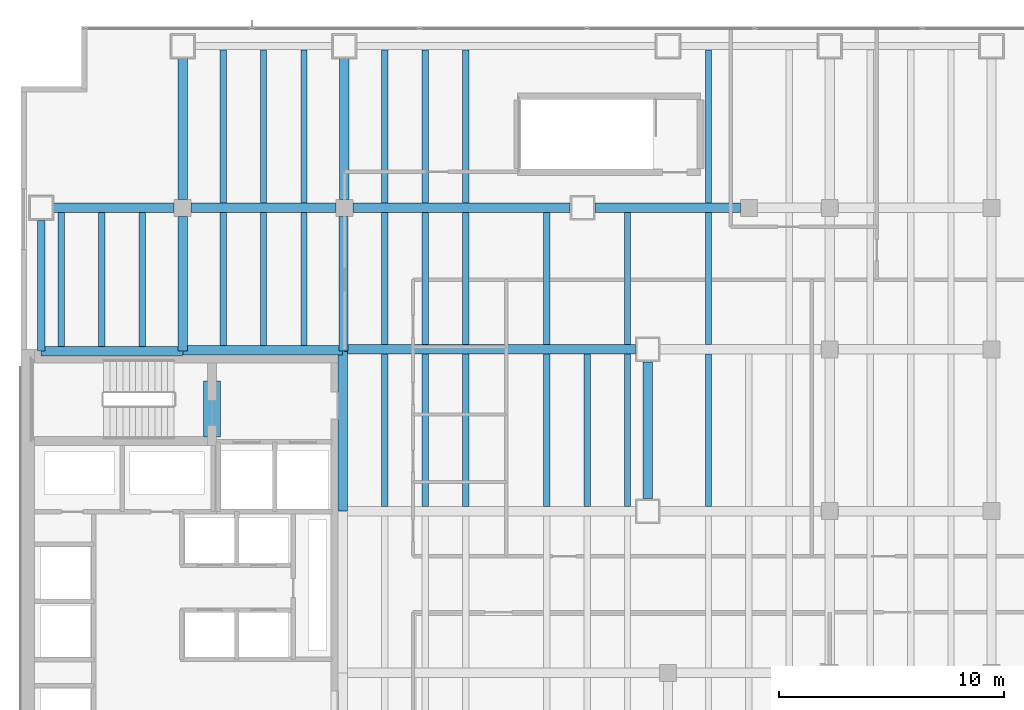
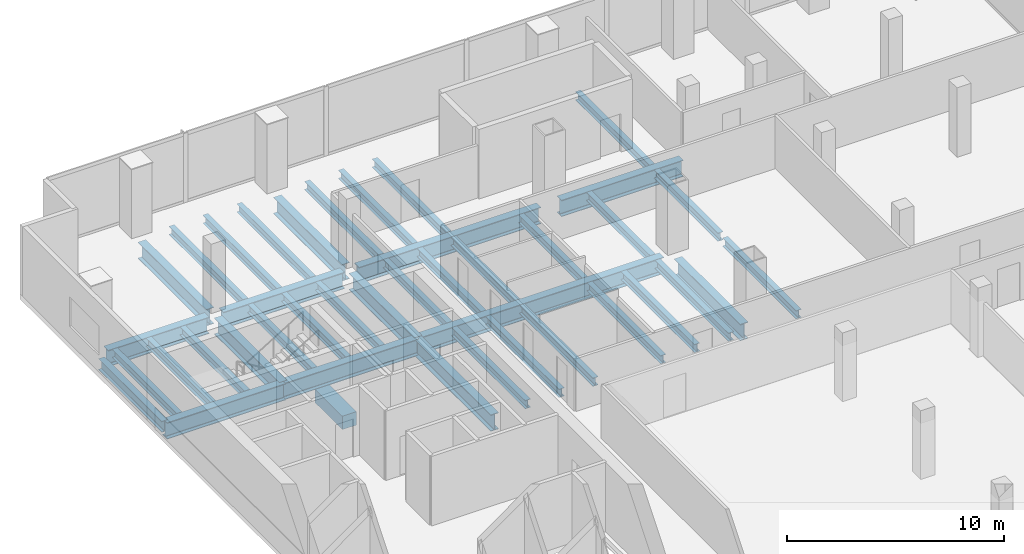
# One storey, part 10 of 32: 41 beams.
"""IFC4 building model written with IfcOpenShell, lengths in metres."""

from ifc_helpers import new_model, si_unit, direction, frame, origin, origin_2d, place, context, subcontext, project, spatial, rectangle, i_section, extrude, material, material_profile, profile_set, type_object, element, save


model = new_model("IFC4")

# Units and contexts
model_context = context("Model", 3, precision=1e-05, world=origin(), true_north=direction((0.0, 1.0)))
body_context = subcontext(model_context, "Body", "Model", "MODEL_VIEW")
ifc_project = project(units=[si_unit("LENGTHUNIT", "METRE"), si_unit("AREAUNIT", "SQUARE_METRE"), si_unit("VOLUMEUNIT", "CUBIC_METRE"), si_unit("PLANEANGLEUNIT", "RADIAN"), si_unit("MASSUNIT", "GRAM", prefix="KILO")], contexts=[model_context])

# Site, building, storey
site_placement = place(None, origin())
site = spatial("IfcSite", under=ifc_project, at=site_placement, CompositionType="ELEMENT")
building_placement = place(site_placement, origin())
building = spatial("IfcBuilding", under=site, at=building_placement, Name="Cobrela Telecom Tower", CompositionType="ELEMENT")
storey_placement = place(building_placement, frame((0.0, 0.0, 22.050048828125)))
storey = spatial("IfcBuildingStorey", under=building, at=storey_placement, Name="L05", CompositionType="ELEMENT", Elevation=22.050048828125)

# Beams
ifc_material_1 = material(Name="Concrete C40/50", Category="concrete")
ifc_material_profile_1 = material_profile(ifc_material_1, rectangle(XDim=0.75, YDim=0.75, at=origin_2d()), Name="RC 750x750")
ifc_profile_set_1 = profile_set([ifc_material_profile_1], Name="Concrete C40/50")
beam_type_1 = type_object("IfcBeamType", Name="BM-COUP-RC", PredefinedType="LINTEL", material=ifc_profile_set_1)
beam_1_placement = place(storey_placement, frame((8.5, 32.10009765625, -0.64013671875), z_axis=(0.0, 1.0, 0.0), x_axis=(-1.0, 0.0, 0.0)))
element("IfcBeam", 1, at=beam_1_placement, inside=storey, type_object=beam_type_1, Name="L05 Core Coupling Lintel Beam", PredefinedType="LINTEL", context=body_context, shape_type="SweptSolid", body=[
    extrude(rectangle(XDim=0.75, YDim=0.75, at=origin_2d()), origin(), (0.0, 0.0, 1.0), 2.5),
])
ifc_material_2 = material(Name="Steel ASTM A992 Grade 50", Category="steel")
ifc_material_profile_2 = material_profile(ifc_material_2, i_section(OverallWidth=0.4189453125, OverallDepth=0.927001953125, WebThickness=0.019287109375, FlangeThickness=0.031982421875, FilletRadius=0.02392578125, at=origin_2d()), Name="W36X231")
ifc_profile_set_2 = profile_set([ifc_material_profile_2], Name="Steel ASTM A992 Grade 50")
beam_type_2 = type_object("IfcBeamType", Name="BM-GIRD-02", PredefinedType="USERDEFINED", material=ifc_profile_set_2)
beam_2_placement = place(storey_placement, frame((0.905029296875, 35.919921875, -0.753662109375), z_axis=(1.0, 0.0, 0.0), x_axis=(0.0, 1.0, 0.0)))
element("IfcBeam", 2, at=beam_2_placement, inside=storey, type_object=beam_type_2, Name="L05 Primary Girder X41", ObjectType="GIRDER", PredefinedType="USERDEFINED", context=body_context, shape_type="SweptSolid", body=[
    extrude(i_section(OverallWidth=0.4189453125, OverallDepth=0.927001953125, WebThickness=0.019287109375, FlangeThickness=0.031982421875, FilletRadius=0.02392578125, at=origin_2d()), origin(), (0.0, 0.0, 1.0), 6.2900390625),
])
beam_3_placement = place(storey_placement, frame((7.205078125, 35.9599609375, -0.753662109375), z_axis=(1.0, 0.0, 0.0), x_axis=(0.0, 1.0, 0.0)))
element("IfcBeam", 3, at=beam_3_placement, inside=storey, type_object=beam_type_2, Name="L05 Primary Girder X42", ObjectType="GIRDER", PredefinedType="USERDEFINED", context=body_context, shape_type="SweptSolid", body=[
    extrude(i_section(OverallWidth=0.4189453125, OverallDepth=0.927001953125, WebThickness=0.019287109375, FlangeThickness=0.031982421875, FilletRadius=0.02392578125, at=origin_2d()), origin(), (0.0, 0.0, 1.0), 7.10986328125),
])
beam_4_placement = place(storey_placement, frame((14.324951171875, 36.0, -0.753662109375), z_axis=(1.0, 0.0, 0.0), x_axis=(0.0, 1.0, 0.0)))
element("IfcBeam", 4, at=beam_4_placement, inside=storey, type_object=beam_type_2, Name="L05 Primary Girder X43", ObjectType="GIRDER", PredefinedType="USERDEFINED", context=body_context, shape_type="SweptSolid", body=[
    extrude(i_section(OverallWidth=0.4189453125, OverallDepth=0.927001953125, WebThickness=0.019287109375, FlangeThickness=0.031982421875, FilletRadius=0.02392578125, at=origin_2d()), origin(), (0.0, 0.0, 1.0), 13.02001953125),
])
beam_5_placement = place(storey_placement, frame((1.455078125, 42.300048828125, -0.753662109375), z_axis=(1.0, 0.0, 0.0), x_axis=(0.0, 1.0, 0.0)))
element("IfcBeam", 5, at=beam_5_placement, inside=storey, type_object=beam_type_2, Name="L05 Primary Girder X46", ObjectType="GIRDER", PredefinedType="USERDEFINED", context=body_context, shape_type="SweptSolid", body=[
    extrude(i_section(OverallWidth=0.4189453125, OverallDepth=0.927001953125, WebThickness=0.019287109375, FlangeThickness=0.031982421875, FilletRadius=0.02392578125, at=origin_2d()), origin(), (0.0, 0.0, 1.0), 5.364990234375),
])
beam_6_placement = place(storey_placement, frame((7.580078125, 42.300048828125, -0.753662109375), z_axis=(1.0, 0.0, 0.0), x_axis=(0.0, 1.0, 0.0)))
element("IfcBeam", 6, at=beam_6_placement, inside=storey, type_object=beam_type_2, Name="L05 Primary Girder X47", ObjectType="GIRDER", PredefinedType="USERDEFINED", context=body_context, shape_type="SweptSolid", body=[
    extrude(i_section(OverallWidth=0.4189453125, OverallDepth=0.927001953125, WebThickness=0.019287109375, FlangeThickness=0.031982421875, FilletRadius=0.02392578125, at=origin_2d()), origin(), (0.0, 0.0, 1.0), 6.43994140625),
])
beam_7_placement = place(storey_placement, frame((14.780029296875, 42.300048828125, -0.753662109375), z_axis=(1.0, 0.0, 0.0), x_axis=(0.0, 1.0, 0.0)))
element("IfcBeam", 7, at=beam_7_placement, inside=storey, type_object=beam_type_2, Name="L05 Primary Girder X48", ObjectType="GIRDER", PredefinedType="USERDEFINED", context=body_context, shape_type="SweptSolid", body=[
    extrude(i_section(OverallWidth=0.4189453125, OverallDepth=0.927001953125, WebThickness=0.019287109375, FlangeThickness=0.031982421875, FilletRadius=0.02392578125, at=origin_2d()), origin(), (0.0, 0.0, 1.0), 9.6650390625),
])
beam_8_placement = place(storey_placement, frame((25.554931640625, 42.300048828125, -0.753662109375), z_axis=(1.0, 0.0, 0.0), x_axis=(0.0, 1.0, 0.0)))
element("IfcBeam", 8, at=beam_8_placement, inside=storey, type_object=beam_type_2, Name="L05 Primary Girder X49", ObjectType="GIRDER", PredefinedType="USERDEFINED", context=body_context, shape_type="SweptSolid", body=[
    extrude(i_section(OverallWidth=0.4189453125, OverallDepth=0.927001953125, WebThickness=0.019287109375, FlangeThickness=0.031982421875, FilletRadius=0.02392578125, at=origin_2d()), origin(), (0.0, 0.0, 1.0), 6.465087890625),
])
beam_9_placement = place(storey_placement, frame((7.199951171875, 35.925048828125, -0.753662109375), z_axis=(0.0, 1.0, 0.0), x_axis=(-1.0, 0.0, 0.0)))
element("IfcBeam", 9, at=beam_9_placement, inside=storey, type_object=beam_type_2, Name="L05 Primary Girder Y58", ObjectType="GIRDER", PredefinedType="USERDEFINED", context=body_context, shape_type="SweptSolid", body=[
    extrude(i_section(OverallWidth=0.4189453125, OverallDepth=0.927001953125, WebThickness=0.019287109375, FlangeThickness=0.031982421875, FilletRadius=0.02392578125, at=origin_2d()), origin(), (0.0, 0.0, 1.0), 5.994873046875),
])
beam_10_placement = place(storey_placement, frame((7.199951171875, 42.679931640625, -0.753662109375), z_axis=(0.0, 1.0, 0.0), x_axis=(-1.0, 0.0, 0.0)))
element("IfcBeam", 10, at=beam_10_placement, inside=storey, type_object=beam_type_2, Name="L05 Primary Girder Y59", ObjectType="GIRDER", PredefinedType="USERDEFINED", context=body_context, shape_type="SweptSolid", body=[
    extrude(i_section(OverallWidth=0.4189453125, OverallDepth=0.927001953125, WebThickness=0.019287109375, FlangeThickness=0.031982421875, FilletRadius=0.02392578125, at=origin_2d()), origin(), (0.0, 0.0, 1.0), 6.26513671875),
])
beam_11_placement = place(storey_placement, frame((14.320068359375, 28.804931640625, -0.753662109375), z_axis=(0.0, 1.0, 0.0), x_axis=(-1.0, 0.0, 0.0)))
element("IfcBeam", 11, at=beam_11_placement, inside=storey, type_object=beam_type_2, Name="L05 Primary Girder Y64", ObjectType="GIRDER", PredefinedType="USERDEFINED", context=body_context, shape_type="SweptSolid", body=[
    extrude(i_section(OverallWidth=0.4189453125, OverallDepth=0.927001953125, WebThickness=0.019287109375, FlangeThickness=0.031982421875, FilletRadius=0.02392578125, at=origin_2d()), origin(), (0.0, 0.0, 1.0), 7.110107421875),
])
beam_12_placement = place(storey_placement, frame((14.360107421875, 35.925048828125, -0.753662109375), z_axis=(0.0, 1.0, 0.0), x_axis=(-1.0, 0.0, 0.0)))
element("IfcBeam", 12, at=beam_12_placement, inside=storey, type_object=beam_type_2, Name="L05 Primary Girder Y65", ObjectType="GIRDER", PredefinedType="USERDEFINED", context=body_context, shape_type="SweptSolid", body=[
    extrude(i_section(OverallWidth=0.4189453125, OverallDepth=0.927001953125, WebThickness=0.019287109375, FlangeThickness=0.031982421875, FilletRadius=0.02392578125, at=origin_2d()), origin(), (0.0, 0.0, 1.0), 5.994873046875),
])
beam_13_placement = place(storey_placement, frame((14.39990234375, 42.679931640625, -0.753662109375), z_axis=(0.0, 1.0, 0.0), x_axis=(-1.0, 0.0, 0.0)))
element("IfcBeam", 13, at=beam_13_placement, inside=storey, type_object=beam_type_2, Name="L05 Primary Girder Y66", ObjectType="GIRDER", PredefinedType="USERDEFINED", context=body_context, shape_type="SweptSolid", body=[
    extrude(i_section(OverallWidth=0.4189453125, OverallDepth=0.927001953125, WebThickness=0.019287109375, FlangeThickness=0.031982421875, FilletRadius=0.02392578125, at=origin_2d()), origin(), (0.0, 0.0, 1.0), 6.26513671875),
])
beam_14_placement = place(storey_placement, frame((27.89990234375, 29.35498046875, -0.753662109375), z_axis=(0.0, 1.0, 0.0), x_axis=(-1.0, 0.0, 0.0)))
element("IfcBeam", 14, at=beam_14_placement, inside=storey, type_object=beam_type_2, Name="L05 Primary Girder Y67", ObjectType="GIRDER", PredefinedType="USERDEFINED", context=body_context, shape_type="SweptSolid", body=[
    extrude(i_section(OverallWidth=0.4189453125, OverallDepth=0.927001953125, WebThickness=0.019287109375, FlangeThickness=0.031982421875, FilletRadius=0.02392578125, at=origin_2d()), origin(), (0.0, 0.0, 1.0), 6.090087890625),
])
ifc_material_profile_3 = material_profile(ifc_material_2, i_section(OverallWidth=0.281982421875, OverallDepth=0.467041015625, WebThickness=0.01220703125, FlangeThickness=0.01953125, FilletRadius=0.012939453125, at=origin_2d()), Name="W18X86")
ifc_profile_set_3 = profile_set([ifc_material_profile_3], Name="Steel ASTM A992 Grade 50")
beam_type_3 = type_object("IfcBeamType", Name="BM-JOIST-02", PredefinedType="JOIST", material=ifc_profile_set_3)
for number, where, z_axis, x_axis, name in (
    (15, (1.800048828125, 36.134521484375, -0.5234375), (0.0, 1.0, 0.0), (-1.0, 0.0, 0.0), "L05 Secondary Composite Floor Beam J01"),
    (16, (3.60009765625, 36.134521484375, -0.5234375), (0.0, 1.0, 0.0), (-1.0, 0.0, 0.0), "L05 Secondary Composite Floor Beam J02"),
    (17, (5.39990234375, 36.134521484375, -0.5234375), (0.0, 1.0, 0.0), (-1.0, 0.0, 0.0), "L05 Secondary Composite Floor Beam J03"),
):
    element("IfcBeam", number, at=place(storey_placement, frame(where, z_axis=z_axis, x_axis=x_axis)), inside=storey, type_object=beam_type_3, Name=name, PredefinedType="JOIST", context=body_context, shape_type="SweptSolid", body=[
        extrude(i_section(OverallWidth=0.281982421875, OverallDepth=0.467041015625, WebThickness=0.01220703125, FlangeThickness=0.01953125, FilletRadius=0.012939453125, at=origin_2d()), origin(), (0.0, 0.0, 1.0), 5.950927734375),
    ])
beam_15_placement = place(storey_placement, frame((9.0, 36.174560546875, -0.5234375), z_axis=(0.0, 1.0, 0.0), x_axis=(-1.0, 0.0, 0.0)))
element("IfcBeam", 18, at=beam_15_placement, inside=storey, type_object=beam_type_3, Name="L05 Secondary Composite Floor Beam J05", PredefinedType="JOIST", context=body_context, shape_type="SweptSolid", body=[
    extrude(i_section(OverallWidth=0.281982421875, OverallDepth=0.467041015625, WebThickness=0.01220703125, FlangeThickness=0.01953125, FilletRadius=0.012939453125, at=origin_2d()), origin(), (0.0, 0.0, 1.0), 5.910888671875),
])
beam_16_placement = place(storey_placement, frame((9.0, 42.514404296875, -0.5234375), z_axis=(0.0, 1.0, 0.0), x_axis=(-1.0, 0.0, 0.0)))
element("IfcBeam", 19, at=beam_16_placement, inside=storey, type_object=beam_type_3, Name="L05 Secondary Composite Floor Beam J06", PredefinedType="JOIST", context=body_context, shape_type="SweptSolid", body=[
    extrude(i_section(OverallWidth=0.281982421875, OverallDepth=0.467041015625, WebThickness=0.01220703125, FlangeThickness=0.01953125, FilletRadius=0.012939453125, at=origin_2d()), origin(), (0.0, 0.0, 1.0), 6.818115234375),
])
beam_17_placement = place(storey_placement, frame((10.800048828125, 36.174560546875, -0.5234375), z_axis=(0.0, 1.0, 0.0), x_axis=(-1.0, 0.0, 0.0)))
element("IfcBeam", 20, at=beam_17_placement, inside=storey, type_object=beam_type_3, Name="L05 Secondary Composite Floor Beam J08", PredefinedType="JOIST", context=body_context, shape_type="SweptSolid", body=[
    extrude(i_section(OverallWidth=0.281982421875, OverallDepth=0.467041015625, WebThickness=0.01220703125, FlangeThickness=0.01953125, FilletRadius=0.012939453125, at=origin_2d()), origin(), (0.0, 0.0, 1.0), 5.910888671875),
])
beam_18_placement = place(storey_placement, frame((10.800048828125, 42.514404296875, -0.5234375), z_axis=(0.0, 1.0, 0.0), x_axis=(-1.0, 0.0, 0.0)))
element("IfcBeam", 21, at=beam_18_placement, inside=storey, type_object=beam_type_3, Name="L05 Secondary Composite Floor Beam J09", PredefinedType="JOIST", context=body_context, shape_type="SweptSolid", body=[
    extrude(i_section(OverallWidth=0.281982421875, OverallDepth=0.467041015625, WebThickness=0.01220703125, FlangeThickness=0.01953125, FilletRadius=0.012939453125, at=origin_2d()), origin(), (0.0, 0.0, 1.0), 6.818115234375),
])
beam_19_placement = place(storey_placement, frame((12.60009765625, 36.174560546875, -0.5234375), z_axis=(0.0, 1.0, 0.0), x_axis=(-1.0, 0.0, 0.0)))
element("IfcBeam", 22, at=beam_19_placement, inside=storey, type_object=beam_type_3, Name="L05 Secondary Composite Floor Beam J11", PredefinedType="JOIST", context=body_context, shape_type="SweptSolid", body=[
    extrude(i_section(OverallWidth=0.281982421875, OverallDepth=0.467041015625, WebThickness=0.01220703125, FlangeThickness=0.01953125, FilletRadius=0.012939453125, at=origin_2d()), origin(), (0.0, 0.0, 1.0), 5.910888671875),
])
beam_20_placement = place(storey_placement, frame((12.60009765625, 42.514404296875, -0.5234375), z_axis=(0.0, 1.0, 0.0), x_axis=(-1.0, 0.0, 0.0)))
element("IfcBeam", 23, at=beam_20_placement, inside=storey, type_object=beam_type_3, Name="L05 Secondary Composite Floor Beam J12", PredefinedType="JOIST", context=body_context, shape_type="SweptSolid", body=[
    extrude(i_section(OverallWidth=0.281982421875, OverallDepth=0.467041015625, WebThickness=0.01220703125, FlangeThickness=0.01953125, FilletRadius=0.012939453125, at=origin_2d()), origin(), (0.0, 0.0, 1.0), 6.818115234375),
])
beam_21_placement = place(storey_placement, frame((16.199951171875, 29.014404296875, -0.5234375), z_axis=(0.0, 1.0, 0.0), x_axis=(-1.0, 0.0, 0.0)))
element("IfcBeam", 24, at=beam_21_placement, inside=storey, type_object=beam_type_3, Name="L05 Secondary Composite Floor Beam J17", PredefinedType="JOIST", context=body_context, shape_type="SweptSolid", body=[
    extrude(i_section(OverallWidth=0.281982421875, OverallDepth=0.467041015625, WebThickness=0.01220703125, FlangeThickness=0.01953125, FilletRadius=0.012939453125, at=origin_2d()), origin(), (0.0, 0.0, 1.0), 6.77099609375),
])
beam_22_placement = place(storey_placement, frame((16.199951171875, 36.214599609375, -0.5234375), z_axis=(0.0, 1.0, 0.0), x_axis=(-1.0, 0.0, 0.0)))
element("IfcBeam", 25, at=beam_22_placement, inside=storey, type_object=beam_type_3, Name="L05 Secondary Composite Floor Beam J18", PredefinedType="JOIST", context=body_context, shape_type="SweptSolid", body=[
    extrude(i_section(OverallWidth=0.281982421875, OverallDepth=0.467041015625, WebThickness=0.01220703125, FlangeThickness=0.01953125, FilletRadius=0.012939453125, at=origin_2d()), origin(), (0.0, 0.0, 1.0), 5.870849609375),
])
beam_23_placement = place(storey_placement, frame((16.199951171875, 42.514404296875, -0.5234375), z_axis=(0.0, 1.0, 0.0), x_axis=(-1.0, 0.0, 0.0)))
element("IfcBeam", 26, at=beam_23_placement, inside=storey, type_object=beam_type_3, Name="L05 Secondary Composite Floor Beam J19", PredefinedType="JOIST", context=body_context, shape_type="SweptSolid", body=[
    extrude(i_section(OverallWidth=0.281982421875, OverallDepth=0.467041015625, WebThickness=0.01220703125, FlangeThickness=0.01953125, FilletRadius=0.012939453125, at=origin_2d()), origin(), (0.0, 0.0, 1.0), 6.818115234375),
])
beam_24_placement = place(storey_placement, frame((18.0, 29.014404296875, -0.5234375), z_axis=(0.0, 1.0, 0.0), x_axis=(-1.0, 0.0, 0.0)))
element("IfcBeam", 27, at=beam_24_placement, inside=storey, type_object=beam_type_3, Name="L05 Secondary Composite Floor Beam J24", PredefinedType="JOIST", context=body_context, shape_type="SweptSolid", body=[
    extrude(i_section(OverallWidth=0.281982421875, OverallDepth=0.467041015625, WebThickness=0.01220703125, FlangeThickness=0.01953125, FilletRadius=0.012939453125, at=origin_2d()), origin(), (0.0, 0.0, 1.0), 6.77099609375),
])
beam_25_placement = place(storey_placement, frame((18.0, 36.214599609375, -0.5234375), z_axis=(0.0, 1.0, 0.0), x_axis=(-1.0, 0.0, 0.0)))
element("IfcBeam", 28, at=beam_25_placement, inside=storey, type_object=beam_type_3, Name="L05 Secondary Composite Floor Beam J25", PredefinedType="JOIST", context=body_context, shape_type="SweptSolid", body=[
    extrude(i_section(OverallWidth=0.281982421875, OverallDepth=0.467041015625, WebThickness=0.01220703125, FlangeThickness=0.01953125, FilletRadius=0.012939453125, at=origin_2d()), origin(), (0.0, 0.0, 1.0), 5.870849609375),
])
beam_26_placement = place(storey_placement, frame((18.0, 42.514404296875, -0.5234375), z_axis=(0.0, 1.0, 0.0), x_axis=(-1.0, 0.0, 0.0)))
element("IfcBeam", 29, at=beam_26_placement, inside=storey, type_object=beam_type_3, Name="L05 Secondary Composite Floor Beam J26", PredefinedType="JOIST", context=body_context, shape_type="SweptSolid", body=[
    extrude(i_section(OverallWidth=0.281982421875, OverallDepth=0.467041015625, WebThickness=0.01220703125, FlangeThickness=0.01953125, FilletRadius=0.012939453125, at=origin_2d()), origin(), (0.0, 0.0, 1.0), 6.818115234375),
])
beam_27_placement = place(storey_placement, frame((19.800048828125, 29.014404296875, -0.5234375), z_axis=(0.0, 1.0, 0.0), x_axis=(-1.0, 0.0, 0.0)))
element("IfcBeam", 30, at=beam_27_placement, inside=storey, type_object=beam_type_3, Name="L05 Secondary Composite Floor Beam J31", PredefinedType="JOIST", context=body_context, shape_type="SweptSolid", body=[
    extrude(i_section(OverallWidth=0.281982421875, OverallDepth=0.467041015625, WebThickness=0.01220703125, FlangeThickness=0.01953125, FilletRadius=0.012939453125, at=origin_2d()), origin(), (0.0, 0.0, 1.0), 6.77099609375),
])
beam_28_placement = place(storey_placement, frame((19.800048828125, 36.214599609375, -0.5234375), z_axis=(0.0, 1.0, 0.0), x_axis=(-1.0, 0.0, 0.0)))
element("IfcBeam", 31, at=beam_28_placement, inside=storey, type_object=beam_type_3, Name="L05 Secondary Composite Floor Beam J32", PredefinedType="JOIST", context=body_context, shape_type="SweptSolid", body=[
    extrude(i_section(OverallWidth=0.281982421875, OverallDepth=0.467041015625, WebThickness=0.01220703125, FlangeThickness=0.01953125, FilletRadius=0.012939453125, at=origin_2d()), origin(), (0.0, 0.0, 1.0), 5.870849609375),
])
beam_29_placement = place(storey_placement, frame((19.800048828125, 42.514404296875, -0.5234375), z_axis=(0.0, 1.0, 0.0), x_axis=(-1.0, 0.0, 0.0)))
element("IfcBeam", 32, at=beam_29_placement, inside=storey, type_object=beam_type_3, Name="L05 Secondary Composite Floor Beam J33", PredefinedType="JOIST", context=body_context, shape_type="SweptSolid", body=[
    extrude(i_section(OverallWidth=0.281982421875, OverallDepth=0.467041015625, WebThickness=0.01220703125, FlangeThickness=0.01953125, FilletRadius=0.012939453125, at=origin_2d()), origin(), (0.0, 0.0, 1.0), 6.818115234375),
])
beam_30_placement = place(storey_placement, frame((23.39990234375, 29.014404296875, -0.5234375), z_axis=(0.0, 1.0, 0.0), x_axis=(-1.0, 0.0, 0.0)))
element("IfcBeam", 33, at=beam_30_placement, inside=storey, type_object=beam_type_3, Name="L05 Secondary Composite Floor Beam J38", PredefinedType="JOIST", context=body_context, shape_type="SweptSolid", body=[
    extrude(i_section(OverallWidth=0.281982421875, OverallDepth=0.467041015625, WebThickness=0.01220703125, FlangeThickness=0.01953125, FilletRadius=0.012939453125, at=origin_2d()), origin(), (0.0, 0.0, 1.0), 6.77099609375),
])
beam_31_placement = place(storey_placement, frame((23.39990234375, 36.214599609375, -0.5234375), z_axis=(0.0, 1.0, 0.0), x_axis=(-1.0, 0.0, 0.0)))
element("IfcBeam", 34, at=beam_31_placement, inside=storey, type_object=beam_type_3, Name="L05 Secondary Composite Floor Beam J39", PredefinedType="JOIST", context=body_context, shape_type="SweptSolid", body=[
    extrude(i_section(OverallWidth=0.281982421875, OverallDepth=0.467041015625, WebThickness=0.01220703125, FlangeThickness=0.01953125, FilletRadius=0.012939453125, at=origin_2d()), origin(), (0.0, 0.0, 1.0), 5.870849609375),
])
for number, where, z_axis, x_axis, name in (
    (35, (25.199951171875, 29.014404296875, -0.5234375), (0.0, 1.0, 0.0), (-1.0, 0.0, 0.0), "L05 Secondary Composite Floor Beam J44"),
    (36, (27.0, 29.014404296875, -0.5234375), (0.0, 1.0, 0.0), (-1.0, 0.0, 0.0), "L05 Secondary Composite Floor Beam J49"),
):
    element("IfcBeam", number, at=place(storey_placement, frame(where, z_axis=z_axis, x_axis=x_axis)), inside=storey, type_object=beam_type_3, Name=name, PredefinedType="JOIST", context=body_context, shape_type="SweptSolid", body=[
        extrude(i_section(OverallWidth=0.281982421875, OverallDepth=0.467041015625, WebThickness=0.01220703125, FlangeThickness=0.01953125, FilletRadius=0.012939453125, at=origin_2d()), origin(), (0.0, 0.0, 1.0), 6.77099609375),
    ])
beam_32_placement = place(storey_placement, frame((27.0, 36.214599609375, -0.5234375), z_axis=(0.0, 1.0, 0.0), x_axis=(-1.0, 0.0, 0.0)))
element("IfcBeam", 37, at=beam_32_placement, inside=storey, type_object=beam_type_3, Name="L05 Secondary Composite Floor Beam J50", PredefinedType="JOIST", context=body_context, shape_type="SweptSolid", body=[
    extrude(i_section(OverallWidth=0.281982421875, OverallDepth=0.467041015625, WebThickness=0.01220703125, FlangeThickness=0.01953125, FilletRadius=0.012939453125, at=origin_2d()), origin(), (0.0, 0.0, 1.0), 5.870849609375),
])
beam_33_placement = place(storey_placement, frame((30.60009765625, 29.014404296875, -0.5234375), z_axis=(0.0, 1.0, 0.0), x_axis=(-1.0, 0.0, 0.0)))
element("IfcBeam", 38, at=beam_33_placement, inside=storey, type_object=beam_type_3, Name="L05 Secondary Composite Floor Beam J55", PredefinedType="JOIST", context=body_context, shape_type="SweptSolid", body=[
    extrude(i_section(OverallWidth=0.281982421875, OverallDepth=0.467041015625, WebThickness=0.01220703125, FlangeThickness=0.01953125, FilletRadius=0.012939453125, at=origin_2d()), origin(), (0.0, 0.0, 1.0), 6.77099609375),
])
beam_34_placement = place(storey_placement, frame((30.60009765625, 36.214599609375, -0.5234375), z_axis=(0.0, 1.0, 0.0), x_axis=(-1.0, 0.0, 0.0)))
element("IfcBeam", 39, at=beam_34_placement, inside=storey, type_object=beam_type_3, Name="L05 Secondary Composite Floor Beam J56", PredefinedType="JOIST", context=body_context, shape_type="SweptSolid", body=[
    extrude(i_section(OverallWidth=0.281982421875, OverallDepth=0.467041015625, WebThickness=0.01220703125, FlangeThickness=0.01953125, FilletRadius=0.012939453125, at=origin_2d()), origin(), (0.0, 0.0, 1.0), 5.870849609375),
])
beam_35_placement = place(storey_placement, frame((30.60009765625, 42.514404296875, -0.5234375), z_axis=(0.0, 1.0, 0.0), x_axis=(-1.0, 0.0, 0.0)))
element("IfcBeam", 40, at=beam_35_placement, inside=storey, type_object=beam_type_3, Name="L05 Secondary Composite Floor Beam J57", PredefinedType="JOIST", context=body_context, shape_type="SweptSolid", body=[
    extrude(i_section(OverallWidth=0.281982421875, OverallDepth=0.467041015625, WebThickness=0.01220703125, FlangeThickness=0.01953125, FilletRadius=0.012939453125, at=origin_2d()), origin(), (0.0, 0.0, 1.0), 6.818115234375),
])
ifc_material_profile_4 = material_profile(ifc_material_2, i_section(OverallWidth=0.324951171875, OverallDepth=0.612060546875, WebThickness=0.0126953125, FlangeThickness=0.01904296875, FilletRadius=0.014892578125, at=origin_2d()), Name="W24X104")
ifc_profile_set_4 = profile_set([ifc_material_profile_4], Name="Steel ASTM A992 Grade 50")
beam_type_4 = type_object("IfcBeamType", Name="BM-SPAND-02", PredefinedType="SPANDREL", material=ifc_profile_set_4)
beam_36_placement = place(storey_placement, frame((0.89990234375, 35.925048828125, -0.595947265625), z_axis=(0.0, 1.0, 0.0), x_axis=(-1.0, 0.0, 0.0)))
element("IfcBeam", 41, at=beam_36_placement, inside=storey, type_object=beam_type_4, Name="L05 Perimeter Spandrel Y56", PredefinedType="SPANDREL", context=body_context, shape_type="SweptSolid", body=[
    extrude(i_section(OverallWidth=0.324951171875, OverallDepth=0.612060546875, WebThickness=0.0126953125, FlangeThickness=0.01904296875, FilletRadius=0.014892578125, at=origin_2d()), origin(), (0.0, 0.0, 1.0), 5.820068359375),
])

save(model, "model.ifc")
